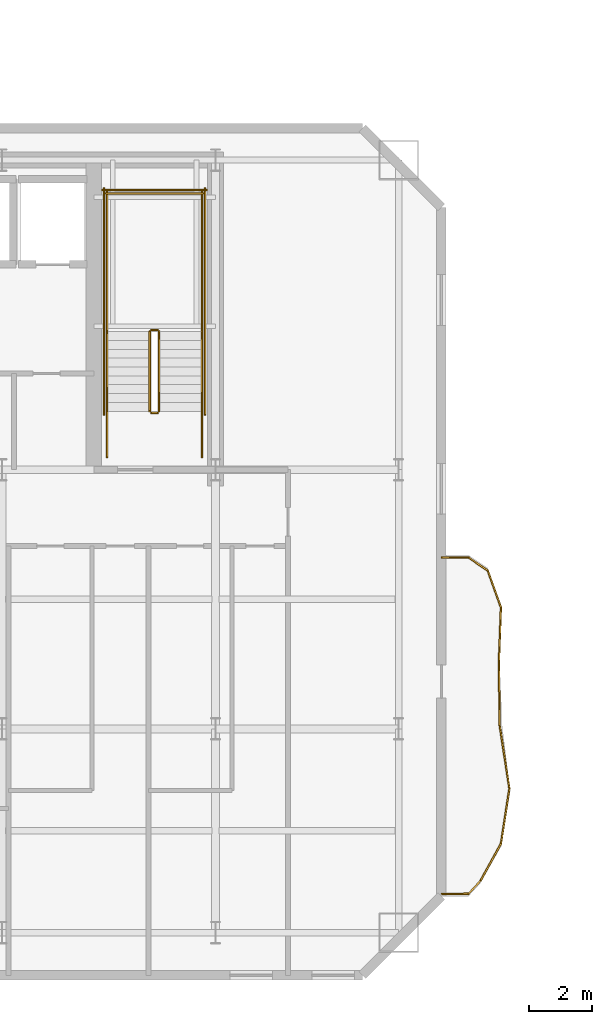
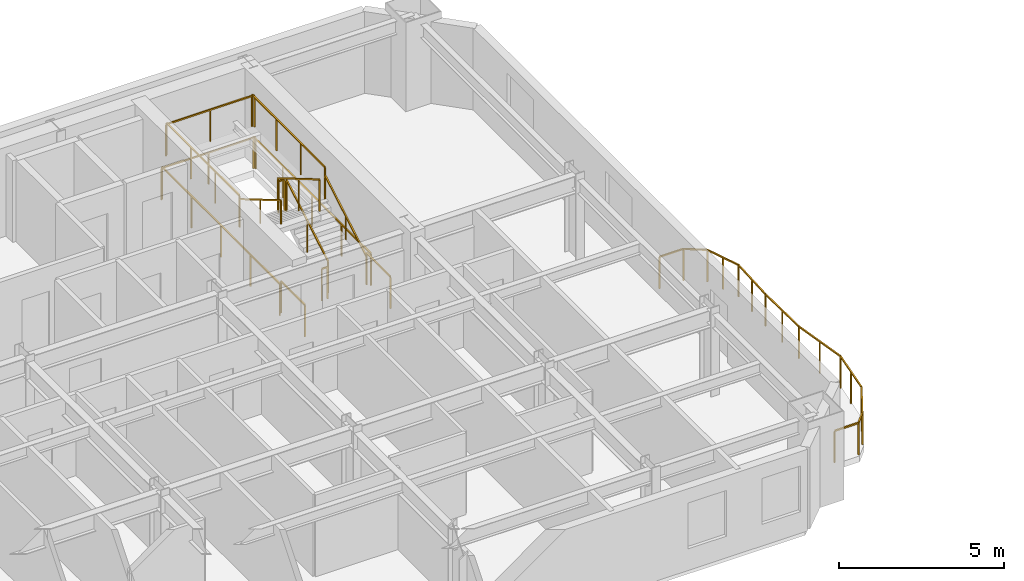
# One storey, part 12 of 14: 24 railings.
"""IFC4 building model written with IfcOpenShell, lengths in metres."""

from ifc_helpers import new_model, si_unit, direction, frame, origin, origin_2d, place, context, subcontext, project, spatial, rectangle, extrude, material, type_object, element, save


model = new_model("IFC4")

# Units and contexts
model_context = context("Model", 3, precision=1e-05, world=origin(), true_north=direction((0.0, 1.0)))
body_context = subcontext(model_context, "Body", "Model", "MODEL_VIEW")
ifc_project = project(units=[si_unit("LENGTHUNIT", "METRE"), si_unit("AREAUNIT", "SQUARE_METRE"), si_unit("VOLUMEUNIT", "CUBIC_METRE"), si_unit("PLANEANGLEUNIT", "RADIAN"), si_unit("MASSUNIT", "GRAM", prefix="KILO")], contexts=[model_context])

# Site, building, storey
site_placement = place(None, origin())
site = spatial("IfcSite", under=ifc_project, at=site_placement, CompositionType="ELEMENT")
building_placement = place(site_placement, origin())
building = spatial("IfcBuilding", under=site, at=building_placement, Name="Haevon Station Towers", CompositionType="ELEMENT")
storey_placement = place(building_placement, frame((0.0, 0.0, 179.10009765625)))
storey = spatial("IfcBuildingStorey", under=building, at=storey_placement, Name="L49", CompositionType="ELEMENT", Elevation=179.10009765625)

# Railings
ifc_material = material(Name="Steel S355", Category="steel")
railing_type_1 = type_object("IfcRailingType", Name="GRD-EXT1200", PredefinedType="GUARDRAIL", material=ifc_material)
railing_1_placement = place(storey_placement, frame((58.173583984375, 24.77783203125, 0.0)))
element("IfcRailing", 1, at=railing_1_placement, inside=storey, type_object=railing_type_1, Name="L49 Perimeter Guardrail 1", PredefinedType="GUARDRAIL", context=body_context, shape_type="SweptSolid", body=[
    extrude(rectangle(XDim=0.048095703125, YDim=0.048095703125, at=origin_2d()), frame((0.0, 0.0, 1.17578125), z_axis=(0.999997283225, 0.002330995998, 0.0), x_axis=(-0.002330995998, 0.999997283225, 0.0)), (0.0, 0.0, 1.0), 0.837890625),
    extrude(rectangle(XDim=0.0419921875, YDim=0.0419921875, at=origin_2d()), origin(), (0.0, 0.0, 1.0), 1.15185546875),
    extrude(rectangle(XDim=0.0419921875, YDim=0.0419921875, at=origin_2d()), frame((0.837890625, 0.001953125, 0.0)), (0.0, 0.0, 1.0), 1.15185546875),
])
railing_2_placement = place(storey_placement, frame((59.011474609375, 24.77978515625, 0.0)))
element("IfcRailing", 2, at=railing_2_placement, inside=storey, type_object=railing_type_1, Name="L49 Perimeter Guardrail 2", PredefinedType="GUARDRAIL", context=body_context, shape_type="SweptSolid", body=[
    extrude(rectangle(XDim=0.048095703125, YDim=0.048095703125, at=origin_2d()), frame((0.0, 0.0, 1.17578125), z_axis=(0.67582366234, 0.737063346953, 0.0), x_axis=(-0.737063346953, 0.67582366234, 0.0)), (0.0, 0.0, 1.0), 0.55810546875),
    extrude(rectangle(XDim=0.0419921875, YDim=0.0419921875, at=origin_2d()), origin(), (0.0, 0.0, 1.0), 1.15185546875),
    extrude(rectangle(XDim=0.0419921875, YDim=0.0419921875, at=origin_2d()), frame((0.377197265625, 0.411376953125, 0.0)), (0.0, 0.0, 1.0), 1.15185546875),
])
railing_3_placement = place(storey_placement, frame((59.388671875, 25.191162109375, 0.0)))
element("IfcRailing", 3, at=railing_3_placement, inside=storey, type_object=railing_type_1, Name="L49 Perimeter Guardrail 3", PredefinedType="GUARDRAIL", context=body_context, shape_type="SweptSolid", body=[
    extrude(rectangle(XDim=0.048095703125, YDim=0.048095703125, at=origin_2d()), frame((0.0, 0.0, 1.17578125), z_axis=(0.483531380605, 0.87532702687, 0.0), x_axis=(-0.87532702687, 0.483531380605, 0.0)), (0.0, 0.0, 1.0), 1.3359375),
    extrude(rectangle(XDim=0.0419921875, YDim=0.0419921875, at=origin_2d()), origin(), (0.0, 0.0, 1.0), 1.15185546875),
    extrude(rectangle(XDim=0.0419921875, YDim=0.0419921875, at=origin_2d()), frame((0.322998046875, 0.584716796875, 0.0)), (0.0, 0.0, 1.0), 1.15185546875),
    extrude(rectangle(XDim=0.0419921875, YDim=0.0419921875, at=origin_2d()), frame((0.64599609375, 1.16943359375, 0.0)), (0.0, 0.0, 1.0), 1.15185546875),
])
railing_4_placement = place(storey_placement, frame((60.03466796875, 26.360595703125, 0.0)))
element("IfcRailing", 4, at=railing_4_placement, inside=storey, type_object=railing_type_1, Name="L49 Perimeter Guardrail 4", PredefinedType="GUARDRAIL", context=body_context, shape_type="SweptSolid", body=[
    extrude(rectangle(XDim=0.048095703125, YDim=0.048095703125, at=origin_2d()), frame((0.0, 0.0, 1.17578125), z_axis=(0.151319853564, 0.988484851638, 0.0), x_axis=(-0.988484851638, 0.151319853564, 0.0)), (0.0, 0.0, 1.0), 1.7666015625),
    extrude(rectangle(XDim=0.0419921875, YDim=0.0419921875, at=origin_2d()), origin(), (0.0, 0.0, 1.0), 1.15185546875),
    extrude(rectangle(XDim=0.0419921875, YDim=0.0419921875, at=origin_2d()), frame((0.1337890625, 0.873046875, 0.0)), (0.0, 0.0, 1.0), 1.15185546875),
    extrude(rectangle(XDim=0.0419921875, YDim=0.0419921875, at=origin_2d()), frame((0.267333984375, 1.746337890625, 0.0)), (0.0, 0.0, 1.0), 1.15185546875),
])
railing_5_placement = place(storey_placement, frame((60.302001953125, 28.10693359375, 0.0)))
element("IfcRailing", 5, at=railing_5_placement, inside=storey, type_object=railing_type_1, Name="L49 Perimeter Guardrail 5", PredefinedType="GUARDRAIL", context=body_context, shape_type="SweptSolid", body=[
    extrude(rectangle(XDim=0.048095703125, YDim=0.048095703125, at=origin_2d()), frame((0.0, 0.0, 1.17578125), z_axis=(-0.151938915534, 0.988389885595, 0.0), x_axis=(-0.988389885595, -0.151938915534, 0.0)), (0.0, 0.0, 1.0), 2.0166015625),
    extrude(rectangle(XDim=0.0419921875, YDim=0.0419921875, at=origin_2d()), origin(), (0.0, 0.0, 1.0), 1.15185546875),
    extrude(rectangle(XDim=0.0419921875, YDim=0.0419921875, at=origin_2d()), frame((-0.1533203125, 0.99658203125, 0.0)), (0.0, 0.0, 1.0), 1.15185546875),
    extrude(rectangle(XDim=0.0419921875, YDim=0.0419921875, at=origin_2d()), frame((-0.306396484375, 1.9931640625, 0.0)), (0.0, 0.0, 1.0), 1.15185546875),
])
railing_6_placement = place(storey_placement, frame((59.99560546875, 30.10009765625, 0.0)))
element("IfcRailing", 6, at=railing_6_placement, inside=storey, type_object=railing_type_1, Name="L49 Perimeter Guardrail 6", PredefinedType="GUARDRAIL", context=body_context, shape_type="SweptSolid", body=[
    extrude(rectangle(XDim=0.048095703125, YDim=0.048095703125, at=origin_2d()), frame((0.0, 0.0, 1.17578125), z_axis=(-0.012764395152, 0.99991853179, 0.0), x_axis=(-0.99991853179, -0.012764395152, 0.0)), (0.0, 0.0, 1.0), 1.9892578125),
    extrude(rectangle(XDim=0.0419921875, YDim=0.0419921875, at=origin_2d()), origin(), (0.0, 0.0, 1.0), 1.15185546875),
    extrude(rectangle(XDim=0.0419921875, YDim=0.0419921875, at=origin_2d()), frame((-0.0126953125, 0.99462890625, 0.0)), (0.0, 0.0, 1.0), 1.15185546875),
    extrude(rectangle(XDim=0.0419921875, YDim=0.0419921875, at=origin_2d()), frame((-0.025390625, 1.989013671875, 0.0)), (0.0, 0.0, 1.0), 1.15185546875),
])
railing_7_placement = place(storey_placement, frame((59.97021484375, 32.089111328125, 0.0)))
element("IfcRailing", 7, at=railing_7_placement, inside=storey, type_object=railing_type_1, Name="L49 Perimeter Guardrail 7", PredefinedType="GUARDRAIL", context=body_context, shape_type="SweptSolid", body=[
    extrude(rectangle(XDim=0.048095703125, YDim=0.048095703125, at=origin_2d()), frame((0.0, 0.0, 1.17578125), z_axis=(0.036800275781, 0.999322640443, 0.0), x_axis=(-0.999322640443, 0.036800275781, 0.0)), (0.0, 0.0, 1.0), 1.75146484375),
    extrude(rectangle(XDim=0.0419921875, YDim=0.0419921875, at=origin_2d()), origin(), (0.0, 0.0, 1.0), 1.15185546875),
    extrude(rectangle(XDim=0.0419921875, YDim=0.0419921875, at=origin_2d()), frame((0.0322265625, 0.875, 0.0)), (0.0, 0.0, 1.0), 1.15185546875),
    extrude(rectangle(XDim=0.0419921875, YDim=0.0419921875, at=origin_2d()), frame((0.064453125, 1.750244140625, 0.0)), (0.0, 0.0, 1.0), 1.15185546875),
])
railing_8_placement = place(storey_placement, frame((60.03466796875, 33.83935546875, 0.0)))
element("IfcRailing", 8, at=railing_8_placement, inside=storey, type_object=railing_type_1, Name="L49 Perimeter Guardrail 8", PredefinedType="GUARDRAIL", context=body_context, shape_type="SweptSolid", body=[
    extrude(rectangle(XDim=0.048095703125, YDim=0.048095703125, at=origin_2d()), frame((0.0, 0.0, 1.17578125), z_axis=(-0.337369310721, 0.941372374878, 0.0), x_axis=(-0.941372374878, -0.337369310721, 0.0)), (0.0, 0.0, 1.0), 1.242431640625),
    extrude(rectangle(XDim=0.0419921875, YDim=0.0419921875, at=origin_2d()), origin(), (0.0, 0.0, 1.0), 1.15185546875),
    extrude(rectangle(XDim=0.0419921875, YDim=0.0419921875, at=origin_2d()), frame((-0.20947265625, 0.5849609375, 0.0)), (0.0, 0.0, 1.0), 1.15185546875),
    extrude(rectangle(XDim=0.0419921875, YDim=0.0419921875, at=origin_2d()), frame((-0.419189453125, 1.169677734375, 0.0)), (0.0, 0.0, 1.0), 1.15185546875),
])
railing_9_placement = place(storey_placement, frame((59.615478515625, 35.009033203125, 0.0)))
element("IfcRailing", 9, at=railing_9_placement, inside=storey, type_object=railing_type_1, Name="L49 Perimeter Guardrail 9", PredefinedType="GUARDRAIL", context=body_context, shape_type="SweptSolid", body=[
    extrude(rectangle(XDim=0.048095703125, YDim=0.048095703125, at=origin_2d()), frame((0.0, 0.0, 1.17578125), z_axis=(-0.826665387993, 0.562693821091, 0.0), x_axis=(-0.562693821091, -0.826665387993, 0.0)), (0.0, 0.0, 1.0), 0.730712890625),
    extrude(rectangle(XDim=0.0419921875, YDim=0.0419921875, at=origin_2d()), origin(), (0.0, 0.0, 1.0), 1.15185546875),
    extrude(rectangle(XDim=0.0419921875, YDim=0.0419921875, at=origin_2d()), frame((-0.60400390625, 0.4111328125, 0.0)), (0.0, 0.0, 1.0), 1.15185546875),
])
railing_10_placement = place(storey_placement, frame((59.011474609375, 35.420166015625, 0.0)))
element("IfcRailing", 10, at=railing_10_placement, inside=storey, type_object=railing_type_1, Name="L49 Perimeter Guardrail 10", PredefinedType="GUARDRAIL", context=body_context, shape_type="SweptSolid", body=[
    extrude(rectangle(XDim=0.048095703125, YDim=0.048095703125, at=origin_2d()), frame((0.0, 0.0, 1.17578125), z_axis=(-0.999997283225, 0.002330995998, 0.0), x_axis=(-0.002330995998, -0.999997283225, 0.0)), (0.0, 0.0, 1.0), 0.837890625),
    extrude(rectangle(XDim=0.0419921875, YDim=0.0419921875, at=origin_2d()), origin(), (0.0, 0.0, 1.0), 1.15185546875),
    extrude(rectangle(XDim=0.0419921875, YDim=0.0419921875, at=origin_2d()), frame((-0.837890625, 0.001953125, 0.0)), (0.0, 0.0, 1.0), 1.15185546875),
])
railing_type_2 = type_object("IfcRailingType", Name="GRD-STR1200", PredefinedType="GUARDRAIL", material=ifc_material)
railing_11_placement = place(storey_placement, frame((49.219970703125, 40.050048828125, 0.164794921875)))
element("IfcRailing", 11, at=railing_11_placement, inside=storey, type_object=railing_type_2, Name="L49 ST2 Stair Guard 1", PredefinedType="GUARDRAIL", context=body_context, shape_type="SweptSolid", body=[
    extrude(rectangle(XDim=0.048095703125, YDim=0.048095703125, at=origin_2d()), frame((0.0, 0.0, 1.17578125), z_axis=(0.0, 0.86152411907, 0.507716645641), x_axis=(-1.0, 0.0, 0.0)), (0.0, 0.0, 1.0), 2.925048828125),
    extrude(rectangle(XDim=0.0419921875, YDim=0.0419921875, at=origin_2d()), origin(), (0.0, 0.0, 1.0), 1.15185546875),
    extrude(rectangle(XDim=0.0419921875, YDim=0.0419921875, at=origin_2d()), frame((0.0, 1.260009765625, 0.74267578125)), (0.0, 0.0, 1.0), 1.15185546875),
    extrude(rectangle(XDim=0.0419921875, YDim=0.0419921875, at=origin_2d()), frame((0.0, 2.52001953125, 1.485107421875)), (0.0, 0.0, 1.0), 1.15185546875),
])
railing_12_placement = place(storey_placement, frame((49.169921875, 42.6201171875, 1.64990234375)))
element("IfcRailing", 12, at=railing_12_placement, inside=storey, type_object=railing_type_2, Name="L49 ST2 Stair Guard 2", PredefinedType="GUARDRAIL", context=body_context, shape_type="SweptSolid", body=[
    extrude(rectangle(XDim=0.048095703125, YDim=0.048095703125, at=origin_2d()), frame((0.0, 0.0, 1.17578125), z_axis=(-1.0, 0.0, 0.0), x_axis=(0.0, -1.0, 0.0)), (0.0, 0.0, 1.0), 0.199951171875),
    extrude(rectangle(XDim=0.0419921875, YDim=0.0419921875, at=origin_2d()), origin(), (0.0, 0.0, 1.0), 1.15185546875),
    extrude(rectangle(XDim=0.0419921875, YDim=0.0419921875, at=origin_2d()), frame((-0.199951171875, 0.0, 0.0)), (0.0, 0.0, 1.0), 1.15185546875),
])
for number, where, name in (
    (13, (50.570068359375, 42.570068359375, 1.64990234375), "L49 ST2 Stair Guard 3"),
    (14, (47.570068359375, 42.570068359375, 1.64990234375), "L49 ST2 Stair Guard 4"),
):
    element("IfcRailing", number, at=place(storey_placement, frame(where)), inside=storey, type_object=railing_type_2, Name=name, PredefinedType="GUARDRAIL", context=body_context, shape_type="SweptSolid", body=[
        extrude(rectangle(XDim=0.048095703125, YDim=0.048095703125, at=origin_2d()), frame((0.0, 0.0, 1.17578125), z_axis=(0.0, 1.0, 0.0), x_axis=(-1.0, 0.0, 0.0)), (0.0, 0.0, 1.0), 4.429931640625),
        extrude(rectangle(XDim=0.0419921875, YDim=0.0419921875, at=origin_2d()), origin(), (0.0, 0.0, 1.0), 1.15185546875),
        extrude(rectangle(XDim=0.0419921875, YDim=0.0419921875, at=origin_2d()), frame((0.0, 1.4765625, 0.0)), (0.0, 0.0, 1.0), 1.15185546875),
        extrude(rectangle(XDim=0.0419921875, YDim=0.0419921875, at=origin_2d()), frame((0.0, 2.953369140625, 0.0)), (0.0, 0.0, 1.0), 1.15185546875),
        extrude(rectangle(XDim=0.0419921875, YDim=0.0419921875, at=origin_2d()), frame((0.0, 4.429931640625, 0.0)), (0.0, 0.0, 1.0), 1.15185546875),
    ])
railing_13_placement = place(storey_placement, frame((50.6201171875, 46.949951171875, 1.64990234375)))
element("IfcRailing", 15, at=railing_13_placement, inside=storey, type_object=railing_type_2, Name="L49 ST2 Stair Guard 5", PredefinedType="GUARDRAIL", context=body_context, shape_type="SweptSolid", body=[
    extrude(rectangle(XDim=0.048095703125, YDim=0.048095703125, at=origin_2d()), frame((0.0, 0.0, 1.17578125), z_axis=(-1.0, 0.0, 0.0), x_axis=(0.0, -1.0, 0.0)), (0.0, 0.0, 1.0), 3.10009765625),
    extrude(rectangle(XDim=0.0419921875, YDim=0.0419921875, at=origin_2d()), origin(), (0.0, 0.0, 1.0), 1.15185546875),
    extrude(rectangle(XDim=0.0419921875, YDim=0.0419921875, at=origin_2d()), frame((-1.550048828125, 0.0, 0.0)), (0.0, 0.0, 1.0), 1.15185546875),
    extrude(rectangle(XDim=0.0419921875, YDim=0.0419921875, at=origin_2d()), frame((-3.10009765625, 0.0, 0.0)), (0.0, 0.0, 1.0), 1.15185546875),
])
railing_14_placement = place(storey_placement, frame((48.919921875, 42.570068359375, 1.81494140625)))
element("IfcRailing", 16, at=railing_14_placement, inside=storey, type_object=railing_type_2, Name="L49 ST2 Stair Guard 6", PredefinedType="GUARDRAIL", context=body_context, shape_type="SweptSolid", body=[
    extrude(rectangle(XDim=0.048095703125, YDim=0.048095703125, at=origin_2d()), frame((0.0, 0.0, 1.17578125), z_axis=(0.0, -0.861560626758, 0.507654692109), x_axis=(1.0, 0.0, 0.0)), (0.0, 0.0, 1.0), 2.925048828125),
    extrude(rectangle(XDim=0.0419921875, YDim=0.0419921875, at=origin_2d()), origin(), (0.0, 0.0, 1.0), 1.15185546875),
    extrude(rectangle(XDim=0.0419921875, YDim=0.0419921875, at=origin_2d()), frame((0.0, -1.260009765625, 0.742431640625)), (0.0, 0.0, 1.0), 1.15185546875),
    extrude(rectangle(XDim=0.0419921875, YDim=0.0419921875, at=origin_2d()), frame((0.0, -2.52001953125, 1.48486328125)), (0.0, 0.0, 1.0), 1.15185546875),
])
railing_15_placement = place(storey_placement, frame((49.169921875, 40.0, 0.0)))
element("IfcRailing", 17, at=railing_15_placement, inside=storey, type_object=railing_type_2, Name="L49 ST2 Stair Guard 7", PredefinedType="GUARDRAIL", context=body_context, shape_type="SweptSolid", body=[
    extrude(rectangle(XDim=0.048095703125, YDim=0.048095703125, at=origin_2d()), frame((0.0, 0.0, 1.17578125), z_axis=(-1.0, 0.0, 0.0), x_axis=(0.0, -1.0, 0.0)), (0.0, 0.0, 1.0), 0.199951171875),
    extrude(rectangle(XDim=0.0419921875, YDim=0.0419921875, at=origin_2d()), origin(), (0.0, 0.0, 1.0), 1.15185546875),
    extrude(rectangle(XDim=0.0419921875, YDim=0.0419921875, at=origin_2d()), frame((-0.199951171875, 0.0, 0.0)), (0.0, 0.0, 1.0), 1.15185546875),
])
for number, where, name in (
    (18, (50.570068359375, 38.60009765625, 0.0), "L49 ST2 Stair Guard 8"),
    (19, (47.570068359375, 38.60009765625, 0.0), "L49 ST2 Stair Guard 9"),
):
    element("IfcRailing", number, at=place(storey_placement, frame(where)), inside=storey, type_object=railing_type_2, Name=name, PredefinedType="GUARDRAIL", context=body_context, shape_type="SweptSolid", body=[
        extrude(rectangle(XDim=0.048095703125, YDim=0.048095703125, at=origin_2d()), frame((0.0, 0.0, 1.17578125), z_axis=(0.0, 1.0, 0.0), x_axis=(-1.0, 0.0, 0.0)), (0.0, 0.0, 1.0), 1.449951171875),
        extrude(rectangle(XDim=0.0419921875, YDim=0.0419921875, at=origin_2d()), origin(), (0.0, 0.0, 1.0), 1.15185546875),
        extrude(rectangle(XDim=0.0419921875, YDim=0.0419921875, at=origin_2d()), frame((0.0, 1.449951171875, 0.0)), (0.0, 0.0, 1.0), 1.15185546875),
    ])
for number, where, name in (
    (20, (50.669921875, 39.949951171875, 0.0), "L49 ST2 Stair Guard 10"),
    (21, (47.469970703125, 39.949951171875, 0.0), "L49 ST2 Stair Guard 11"),
):
    element("IfcRailing", number, at=place(storey_placement, frame(where)), inside=storey, type_object=railing_type_2, Name=name, PredefinedType="GUARDRAIL", context=body_context, shape_type="SweptSolid", body=[
        extrude(rectangle(XDim=0.048095703125, YDim=0.048095703125, at=origin_2d()), frame((0.0, 0.0, 1.17578125), z_axis=(0.0, 1.0, 0.0), x_axis=(-1.0, 0.0, 0.0)), (0.0, 0.0, 1.0), 7.150146484375),
        extrude(rectangle(XDim=0.0419921875, YDim=0.0419921875, at=origin_2d()), origin(), (0.0, 0.0, 1.0), 1.15185546875),
        extrude(rectangle(XDim=0.0419921875, YDim=0.0419921875, at=origin_2d()), frame((0.0, 1.78759765625, 0.0)), (0.0, 0.0, 1.0), 1.15185546875),
        extrude(rectangle(XDim=0.0419921875, YDim=0.0419921875, at=origin_2d()), frame((0.0, 3.5751953125, 0.0)), (0.0, 0.0, 1.0), 1.15185546875),
        extrude(rectangle(XDim=0.0419921875, YDim=0.0419921875, at=origin_2d()), frame((0.0, 5.362548828125, 0.0)), (0.0, 0.0, 1.0), 1.15185546875),
        extrude(rectangle(XDim=0.0419921875, YDim=0.0419921875, at=origin_2d()), frame((0.0, 7.150146484375, 0.0)), (0.0, 0.0, 1.0), 1.15185546875),
    ])
railing_16_placement = place(storey_placement, frame((50.719970703125, 47.050048828125, 0.0)))
element("IfcRailing", 22, at=railing_16_placement, inside=storey, type_object=railing_type_2, Name="L49 ST2 Stair Guard 12", PredefinedType="GUARDRAIL", context=body_context, shape_type="SweptSolid", body=[
    extrude(rectangle(XDim=0.048095703125, YDim=0.048095703125, at=origin_2d()), frame((0.0, 0.0, 1.17578125), z_axis=(-1.0, 0.0, 0.0), x_axis=(0.0, -1.0, 0.0)), (0.0, 0.0, 1.0), 3.300048828125),
    extrude(rectangle(XDim=0.0419921875, YDim=0.0419921875, at=origin_2d()), origin(), (0.0, 0.0, 1.0), 1.15185546875),
    extrude(rectangle(XDim=0.0419921875, YDim=0.0419921875, at=origin_2d()), frame((-1.64990234375, 0.0, 0.0)), (0.0, 0.0, 1.0), 1.15185546875),
    extrude(rectangle(XDim=0.0419921875, YDim=0.0419921875, at=origin_2d()), frame((-3.300048828125, 0.0, 0.0)), (0.0, 0.0, 1.0), 1.15185546875),
])
railing_type_3 = type_object("IfcRailingType", Name="HND-STR900", PredefinedType="HANDRAIL", material=ifc_material)
railing_17_placement = place(storey_placement, frame((50.570068359375, 40.050048828125, 0.164794921875)))
element("IfcRailing", 23, at=railing_17_placement, inside=storey, type_object=railing_type_3, Name="L49 ST2 Stair Handrail 1", PredefinedType="HANDRAIL", context=body_context, shape_type="SweptSolid", body=[
    extrude(rectangle(XDim=0.048095703125, YDim=0.048095703125, at=origin_2d()), frame((0.0, 0.0, 0.8759765625), z_axis=(0.0, 0.86152411907, 0.507716645641), x_axis=(-1.0, 0.0, 0.0)), (0.0, 0.0, 1.0), 2.925048828125),
    extrude(rectangle(XDim=0.0419921875, YDim=0.0419921875, at=origin_2d()), origin(), (0.0, 0.0, 1.0), 0.851806640625),
    extrude(rectangle(XDim=0.0419921875, YDim=0.0419921875, at=origin_2d()), frame((0.0, 1.260009765625, 0.74267578125)), (0.0, 0.0, 1.0), 0.851806640625),
    extrude(rectangle(XDim=0.0419921875, YDim=0.0419921875, at=origin_2d()), frame((0.0, 2.52001953125, 1.485107421875)), (0.0, 0.0, 1.0), 0.851806640625),
])
railing_18_placement = place(storey_placement, frame((47.570068359375, 42.570068359375, 1.81494140625)))
element("IfcRailing", 24, at=railing_18_placement, inside=storey, type_object=railing_type_3, Name="L49 ST2 Stair Handrail 2", PredefinedType="HANDRAIL", context=body_context, shape_type="SweptSolid", body=[
    extrude(rectangle(XDim=0.048095703125, YDim=0.048095703125, at=origin_2d()), frame((0.0, 0.0, 0.8759765625), z_axis=(0.0, -0.861560626758, 0.507654692109), x_axis=(1.0, 0.0, 0.0)), (0.0, 0.0, 1.0), 2.925048828125),
    extrude(rectangle(XDim=0.0419921875, YDim=0.0419921875, at=origin_2d()), origin(), (0.0, 0.0, 1.0), 0.851806640625),
    extrude(rectangle(XDim=0.0419921875, YDim=0.0419921875, at=origin_2d()), frame((0.0, -1.260009765625, 0.742431640625)), (0.0, 0.0, 1.0), 0.851806640625),
    extrude(rectangle(XDim=0.0419921875, YDim=0.0419921875, at=origin_2d()), frame((0.0, -2.52001953125, 1.48486328125)), (0.0, 0.0, 1.0), 0.851806640625),
])

save(model, "model.ifc")
